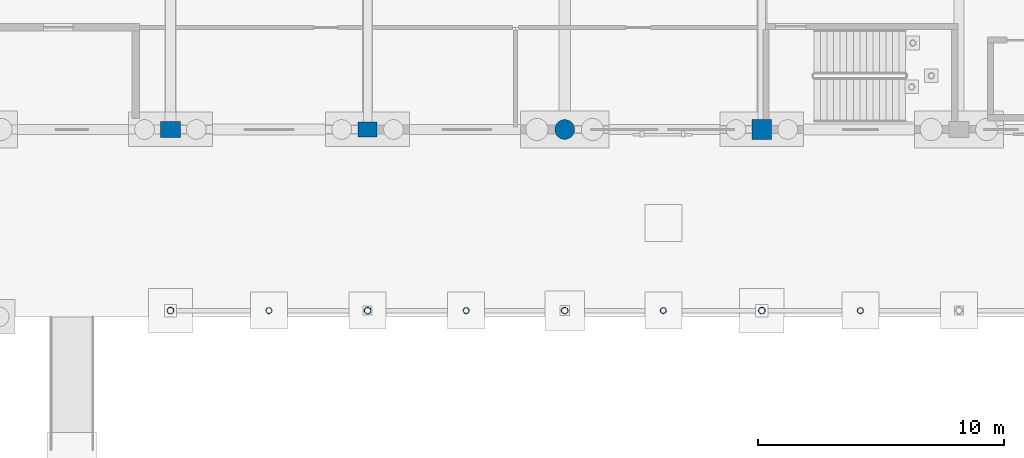
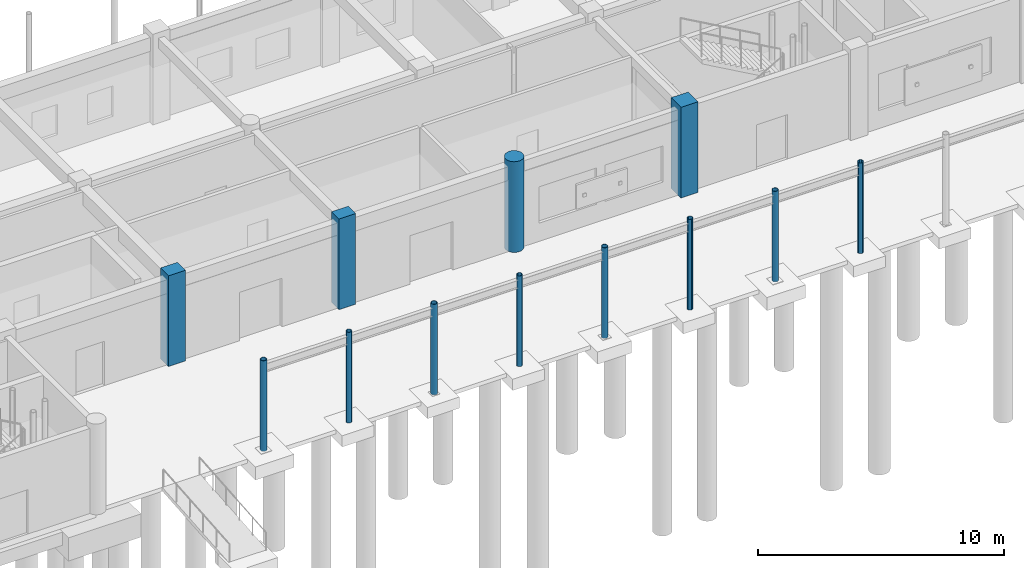
# One storey, part 20 of 166: 12 columns.
"""IFC4 building model written with IfcOpenShell, lengths in metres."""

from ifc_helpers import new_model, si_unit, direction, frame, origin, origin_2d, place, context, subcontext, project, spatial, rectangle, circle, hollow_circle, extrude, material, material_profile, profile_set, type_object, element, save


model = new_model("IFC4")

# Units and contexts
model_context = context("Model", 3, precision=1e-05, world=origin(), true_north=direction((0.0, 1.0)))
body_context = subcontext(model_context, "Body", "Model", "MODEL_VIEW")
ifc_project = project(units=[si_unit("LENGTHUNIT", "METRE"), si_unit("AREAUNIT", "SQUARE_METRE"), si_unit("VOLUMEUNIT", "CUBIC_METRE"), si_unit("PLANEANGLEUNIT", "RADIAN"), si_unit("MASSUNIT", "GRAM", prefix="KILO")], contexts=[model_context])

# Site, building, storey
site_placement = place(None, origin())
site = spatial("IfcSite", under=ifc_project, at=site_placement, CompositionType="ELEMENT")
building_placement = place(site_placement, origin())
building = spatial("IfcBuilding", under=site, at=building_placement, Name="Kharva Crest Polytechnic", CompositionType="ELEMENT")
storey_placement = place(building_placement, origin())
storey = spatial("IfcBuildingStorey", under=building, at=storey_placement, Name="L00", CompositionType="ELEMENT", Elevation=0.0)

# Columns
ifc_material_1 = material(Name="Concrete C40/50", Category="concrete")
ifc_material_profile_1 = material_profile(ifc_material_1, rectangle(XDim=0.780029296875, YDim=0.60009765625, at=origin_2d()), Name="RECT 780 X 600")
ifc_profile_set_1 = profile_set([ifc_material_profile_1], Name="Concrete C40/50")
column_type_1 = type_object("IfcColumnType", Name="COL-EXT-780X600", PredefinedType="COLUMN", material=ifc_profile_set_1)
column_1_placement = place(storey_placement, frame((72.0, 7.60009765625, 0.0), z_axis=(0.0, 0.0, 1.0), x_axis=(1.0, 0.0, 0.0)))
element("IfcColumn", 1, at=column_1_placement, inside=storey, type_object=column_type_1, Name="L00 Column 10/B", PredefinedType="COLUMN", context=body_context, shape_type="SweptSolid", body=[
    extrude(rectangle(XDim=0.780029296875, YDim=0.60009765625, at=origin_2d()), origin(), (0.0, 0.0, 1.0), 4.5),
])
ifc_material_profile_2 = material_profile(ifc_material_1, rectangle(XDim=0.800048828125, YDim=0.64990234375, at=origin_2d()), Name="RECT 800 X 650")
ifc_profile_set_2 = profile_set([ifc_material_profile_2], Name="Concrete C40/50")
column_type_2 = type_object("IfcColumnType", Name="COL-EXT-800X650", PredefinedType="COLUMN", material=ifc_profile_set_2)
column_2_placement = place(storey_placement, frame((64.0, 7.60009765625, 0.0), z_axis=(0.0, 0.0, 1.0), x_axis=(1.0, 0.0, 0.0)))
element("IfcColumn", 2, at=column_2_placement, inside=storey, type_object=column_type_2, Name="L00 Column 9/B", PredefinedType="COLUMN", context=body_context, shape_type="SweptSolid", body=[
    extrude(rectangle(XDim=0.800048828125, YDim=0.64990234375, at=origin_2d()), origin(), (0.0, 0.0, 1.0), 4.5),
])
ifc_material_profile_3 = material_profile(ifc_material_1, rectangle(XDim=0.800048828125, YDim=0.800048828125, at=origin_2d()), Name="RECT 800 X 800")
ifc_profile_set_3 = profile_set([ifc_material_profile_3], Name="Concrete C40/50")
column_type_3 = type_object("IfcColumnType", Name="COL-EXT-800X800", PredefinedType="COLUMN", material=ifc_profile_set_3)
column_3_placement = place(storey_placement, frame((88.0, 7.60009765625, 0.0), z_axis=(0.0, 0.0, 1.0), x_axis=(1.0, 0.0, 0.0)))
element("IfcColumn", 3, at=column_3_placement, inside=storey, type_object=column_type_3, Name="L00 Column 12/B", PredefinedType="COLUMN", context=body_context, shape_type="SweptSolid", body=[
    extrude(rectangle(XDim=0.800048828125, YDim=0.800048828125, at=origin_2d()), origin(), (0.0, 0.0, 1.0), 4.5),
])
ifc_material_profile_4 = material_profile(ifc_material_1, circle(Radius=0.39990234375, at=origin_2d()), Name="DIA 800")
ifc_profile_set_4 = profile_set([ifc_material_profile_4], Name="Concrete C40/50")
column_type_4 = type_object("IfcColumnType", Name="COL-EXT-DIA800", PredefinedType="COLUMN", material=ifc_profile_set_4)
column_4_placement = place(storey_placement, frame((80.0, 7.60009765625, 0.0), z_axis=(0.0, 0.0, 1.0), x_axis=(1.0, 0.0, 0.0)))
element("IfcColumn", 4, at=column_4_placement, inside=storey, type_object=column_type_4, Name="L00 Column 11/B", PredefinedType="COLUMN", context=body_context, shape_type="SweptSolid", body=[
    extrude(circle(Radius=0.39990234375, at=origin_2d()), origin(), (0.0, 0.0, 1.0), 4.5),
])
ifc_material_2 = material(Name="Steel S355", Category="steel")
ifc_material_profile_5 = material_profile(ifc_material_2, hollow_circle(Radius=0.122314453125, WallThickness=0.010009765625, at=origin_2d()), Name="CHS 244.5X10.0")
ifc_profile_set_5 = profile_set([ifc_material_profile_5], Name="Steel S355")
column_type_5 = type_object("IfcColumnType", Name="COL-STL-CHS244", PredefinedType="COLUMN", material=ifc_profile_set_5)
for number, where, z_axis, x_axis, name in (
    (5, (68.0, 0.25, 0.0), (0.0, 0.0, 1.0), (1.0, 0.0, 0.0), "L00 Colonnade Mid Column ASM01"),
    (6, (76.0, 0.25, 0.0), (0.0, 0.0, 1.0), (1.0, 0.0, 0.0), "L00 Colonnade Mid Column ASM02"),
    (7, (84.0, 0.25, 0.0), (0.0, 0.0, 1.0), (1.0, 0.0, 0.0), "L00 Colonnade Mid Column ASM03"),
    (8, (92.0, 0.25, 0.0), (0.0, 0.0, 1.0), (1.0, 0.0, 0.0), "L00 Colonnade Mid Column ASM04"),
):
    element("IfcColumn", number, at=place(storey_placement, frame(where, z_axis=z_axis, x_axis=x_axis)), inside=storey, type_object=column_type_5, Name=name, PredefinedType="COLUMN", context=body_context, shape_type="SweptSolid", body=[
        extrude(hollow_circle(Radius=0.122314453125, WallThickness=0.010009765625, at=origin_2d()), origin(), (0.0, 0.0, 1.0), 4.5),
    ])
ifc_material_profile_6 = material_profile(ifc_material_2, hollow_circle(Radius=0.136474609375, WallThickness=0.012451171875, at=origin_2d()), Name="CHS 273.0X12.5")
ifc_profile_set_6 = profile_set([ifc_material_profile_6], Name="Steel S355")
column_type_6 = type_object("IfcColumnType", Name="COL-STL-CHS273", PredefinedType="COLUMN", material=ifc_profile_set_6)
for number, where, z_axis, x_axis, name in (
    (9, (64.0, 0.25, 0.0), (0.0, 0.0, 1.0), (1.0, 0.0, 0.0), "L00 Colonnade Column AS01"),
    (10, (72.0, 0.25, 0.0), (0.0, 0.0, 1.0), (1.0, 0.0, 0.0), "L00 Colonnade Column AS02"),
    (11, (80.0, 0.25, 0.0), (0.0, 0.0, 1.0), (1.0, 0.0, 0.0), "L00 Colonnade Column AS03"),
    (12, (88.0, 0.25, 0.0), (0.0, 0.0, 1.0), (1.0, 0.0, 0.0), "L00 Colonnade Column AS04"),
):
    element("IfcColumn", number, at=place(storey_placement, frame(where, z_axis=z_axis, x_axis=x_axis)), inside=storey, type_object=column_type_6, Name=name, PredefinedType="COLUMN", context=body_context, shape_type="SweptSolid", body=[
        extrude(hollow_circle(Radius=0.136474609375, WallThickness=0.012451171875, at=origin_2d()), origin(), (0.0, 0.0, 1.0), 4.5),
    ])

save(model, "model.ifc")
